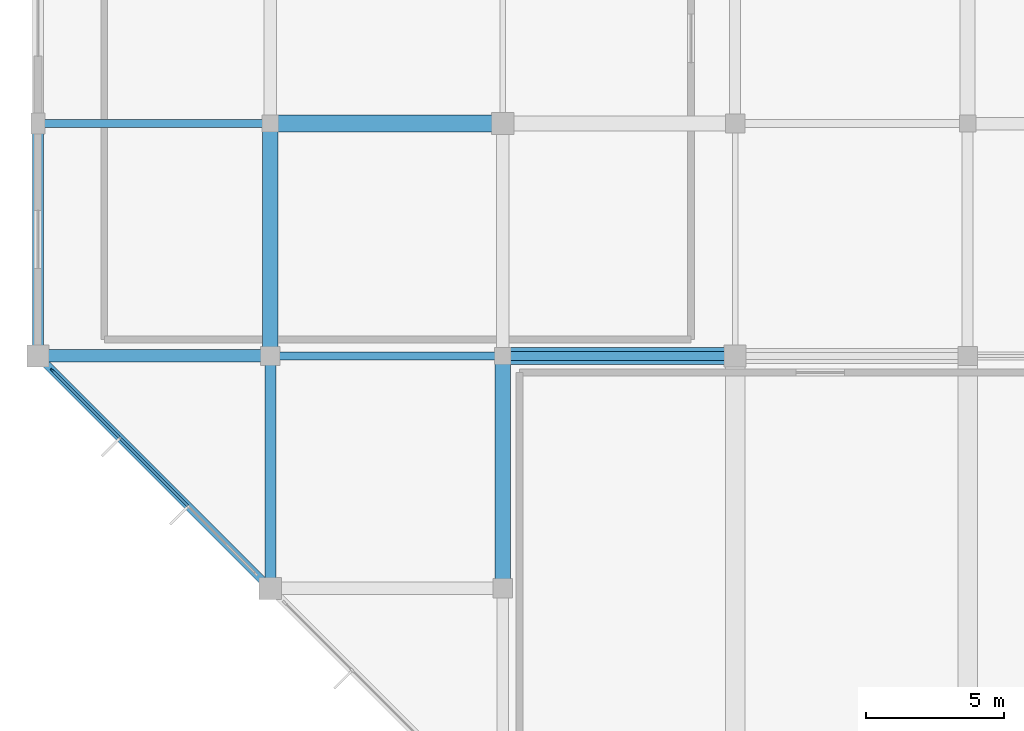
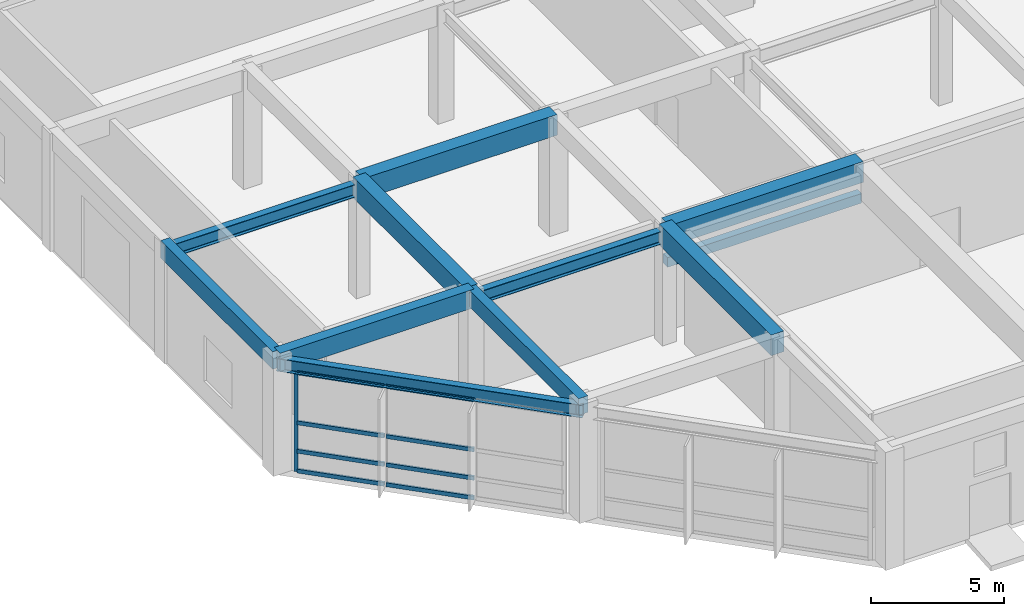
# One storey, part 9 of 62: 11 beams, 9 members, 1 element without a shape of its own.
"""IFC4 building model written with IfcOpenShell, lengths in metres."""

from ifc_helpers import new_model, si_unit, direction, frame, origin, origin_2d, place, context, subcontext, project, spatial, rectangle, i_section, extrude, material, material_profile, profile_set, type_object, element, aggregate, save


model = new_model("IFC4")

# Units and contexts
model_context = context("Model", 3, precision=1e-05, world=origin(), true_north=direction((0.0, 1.0)))
body_context = subcontext(model_context, "Body", "Model", "MODEL_VIEW")
ifc_project = project(units=[si_unit("LENGTHUNIT", "METRE"), si_unit("AREAUNIT", "SQUARE_METRE"), si_unit("VOLUMEUNIT", "CUBIC_METRE"), si_unit("PLANEANGLEUNIT", "RADIAN"), si_unit("MASSUNIT", "GRAM", prefix="KILO")], contexts=[model_context])

# Site, building, storey
site_placement = place(None, origin())
site = spatial("IfcSite", under=ifc_project, at=site_placement, CompositionType="ELEMENT")
building_placement = place(site_placement, origin())
building = spatial("IfcBuilding", under=site, at=building_placement, Name="Xuanlan Plaza Opera House", CompositionType="ELEMENT")
storey_placement = place(building_placement, origin())
storey = spatial("IfcBuildingStorey", under=building, at=storey_placement, Name="L00", CompositionType="ELEMENT", Elevation=0.0)

# Curtain wall, members
ifc_material_1 = material(Name="Anodised Aluminium 6063-T6 and Low-E Glass", Category="aluminium")
curtain_wall_type = type_object("IfcCurtainWallType", Name="ENV-CW-CW-01", PredefinedType="USERDEFINED", material=ifc_material_1)
curtain_wall_placement = place(storey_placement, origin())
curtain_wall = element("IfcCurtainWall", 1, at=curtain_wall_placement, inside=storey, type_object=curtain_wall_type, Name="Unitised Curtain Wall L00-059", ObjectType="UNITISED CURTAIN WALL", PredefinedType="USERDEFINED")
ifc_material_2 = material(Name="Anodised Aluminium 6063-T6", Category="aluminium")
ifc_material_profile_1 = material_profile(ifc_material_2, rectangle(XDim=0.06494140625, YDim=0.159912109375, at=origin_2d()), Name="ALU-M 65x160")
ifc_profile_set_1 = profile_set([ifc_material_profile_1], Name="Anodised Aluminium 6063-T6")
member_type_1 = type_object("IfcMemberType", Name="ENV-CWM-01", PredefinedType="MULLION", material=ifc_profile_set_1)
member_1_placement = place(storey_placement, frame((0.52197265625, 16.278076171875, 0.0), z_axis=(0.0, 0.0, 1.0), x_axis=(0.707106781187, 0.707106781187, 0.0)))
member_1 = element("IfcMember", 2, at=member_1_placement, type_object=member_type_1, Name="CW-01 mullion 1", PredefinedType="MULLION", context=body_context, shape_type="SweptSolid", body=[
    extrude(rectangle(XDim=0.06494140625, YDim=0.159912109375, at=origin_2d()), origin(), (0.0, 0.0, 1.0), 4.580078125),
])
ifc_material_profile_2 = material_profile(ifc_material_2, rectangle(XDim=0.090087890625, YDim=0.179931640625, at=origin_2d()), Name="ALU-T 90x180")
ifc_profile_set_2 = profile_set([ifc_material_profile_2], Name="Anodised Aluminium 6063-T6")
member_type_2 = type_object("IfcMemberType", Name="ENV-CWT-05", PredefinedType="USERDEFINED", material=ifc_profile_set_2)
member_2_placement = place(storey_placement, frame((0.544921875, 16.255126953125, 0.044921875), z_axis=(0.707106781187, -0.707106781187, 0.0), x_axis=(0.707106781187, 0.707106781187, 0.0)))
member_2 = element("IfcMember", 3, at=member_2_placement, type_object=member_type_2, Name="CW-01 transom 1.1", ObjectType="TRANSOM", PredefinedType="USERDEFINED", context=body_context, shape_type="SweptSolid", body=[
    extrude(rectangle(XDim=0.090087890625, YDim=0.179931640625, at=origin_2d()), origin(), (0.0, 0.0, 1.0), 3.391845703125),
])
member_3_placement = place(storey_placement, frame((0.544921875, 16.255126953125, 0.949951171875), z_axis=(0.707106781187, -0.707106781187, 0.0), x_axis=(0.707106781187, 0.707106781187, 0.0)))
member_3 = element("IfcMember", 4, at=member_3_placement, type_object=member_type_2, Name="CW-01 transom 1.2", ObjectType="TRANSOM", PredefinedType="USERDEFINED", context=body_context, shape_type="SweptSolid", body=[
    extrude(rectangle(XDim=0.090087890625, YDim=0.179931640625, at=origin_2d()), origin(), (0.0, 0.0, 1.0), 3.391845703125),
])
member_4_placement = place(storey_placement, frame((0.544921875, 16.255126953125, 2.25), z_axis=(0.707106781187, -0.707106781187, 0.0), x_axis=(0.707106781187, 0.707106781187, 0.0)))
member_4 = element("IfcMember", 5, at=member_4_placement, type_object=member_type_2, Name="CW-01 transom 1.3", ObjectType="TRANSOM", PredefinedType="USERDEFINED", context=body_context, shape_type="SweptSolid", body=[
    extrude(rectangle(XDim=0.090087890625, YDim=0.179931640625, at=origin_2d()), origin(), (0.0, 0.0, 1.0), 3.391845703125),
])
member_5_placement = place(storey_placement, frame((0.544921875, 16.255126953125, 4.534912109375), z_axis=(0.707106781187, -0.707106781187, 0.0), x_axis=(0.707106781187, 0.707106781187, 0.0)))
member_5 = element("IfcMember", 6, at=member_5_placement, type_object=member_type_2, Name="CW-01 transom 1.4", ObjectType="TRANSOM", PredefinedType="USERDEFINED", context=body_context, shape_type="SweptSolid", body=[
    extrude(rectangle(XDim=0.090087890625, YDim=0.179931640625, at=origin_2d()), origin(), (0.0, 0.0, 1.0), 3.391845703125),
])
member_6_placement = place(storey_placement, frame((2.9892578125, 13.810791015625, 0.044921875), z_axis=(0.707106781187, -0.707106781187, 0.0), x_axis=(0.707106781187, 0.707106781187, 0.0)))
member_6 = element("IfcMember", 7, at=member_6_placement, type_object=member_type_2, Name="CW-01 transom 2.1", ObjectType="TRANSOM", PredefinedType="USERDEFINED", context=body_context, shape_type="SweptSolid", body=[
    extrude(rectangle(XDim=0.090087890625, YDim=0.179931640625, at=origin_2d()), origin(), (0.0, 0.0, 1.0), 3.42431640625),
])
member_7_placement = place(storey_placement, frame((2.9892578125, 13.810791015625, 0.949951171875), z_axis=(0.707106781187, -0.707106781187, 0.0), x_axis=(0.707106781187, 0.707106781187, 0.0)))
member_7 = element("IfcMember", 8, at=member_7_placement, type_object=member_type_2, Name="CW-01 transom 2.2", ObjectType="TRANSOM", PredefinedType="USERDEFINED", context=body_context, shape_type="SweptSolid", body=[
    extrude(rectangle(XDim=0.090087890625, YDim=0.179931640625, at=origin_2d()), origin(), (0.0, 0.0, 1.0), 3.42431640625),
])
member_8_placement = place(storey_placement, frame((2.9892578125, 13.810791015625, 2.25), z_axis=(0.707106781187, -0.707106781187, 0.0), x_axis=(0.707106781187, 0.707106781187, 0.0)))
member_8 = element("IfcMember", 9, at=member_8_placement, type_object=member_type_2, Name="CW-01 transom 2.3", ObjectType="TRANSOM", PredefinedType="USERDEFINED", context=body_context, shape_type="SweptSolid", body=[
    extrude(rectangle(XDim=0.090087890625, YDim=0.179931640625, at=origin_2d()), origin(), (0.0, 0.0, 1.0), 3.42431640625),
])
member_9_placement = place(storey_placement, frame((2.9892578125, 13.810791015625, 4.534912109375), z_axis=(0.707106781187, -0.707106781187, 0.0), x_axis=(0.707106781187, 0.707106781187, 0.0)))
member_9 = element("IfcMember", 10, at=member_9_placement, type_object=member_type_2, Name="CW-01 transom 2.4", ObjectType="TRANSOM", PredefinedType="USERDEFINED", context=body_context, shape_type="SweptSolid", body=[
    extrude(rectangle(XDim=0.090087890625, YDim=0.179931640625, at=origin_2d()), origin(), (0.0, 0.0, 1.0), 3.42431640625),
])
aggregate(curtain_wall, [member_1, member_2, member_3, member_4, member_5, member_6, member_7, member_8, member_9])

# Beams
ifc_material_3 = material(Name="Concrete C50", Category="concrete")
ifc_material_profile_3 = material_profile(ifc_material_3, rectangle(XDim=0.60009765625, YDim=0.949951171875, at=origin_2d()), Name="RC-BM 600x950")
ifc_profile_set_3 = profile_set([ifc_material_profile_3], Name="Concrete C50")
beam_type_1 = type_object("IfcBeamType", Name="STR-BM-B-01", PredefinedType="BEAM", material=ifc_profile_set_3)
beam_1_placement = place(storey_placement, frame((16.800048828125, 16.800048828125, 4.925048828125), z_axis=(1.0, 0.0, 0.0), x_axis=(0.0, 1.0, 0.0)))
element("IfcBeam", 11, at=beam_1_placement, inside=storey, type_object=beam_type_1, Name="Grid Beam X L00 3-4/C", PredefinedType="BEAM", context=body_context, shape_type="SweptSolid", body=[
    extrude(rectangle(XDim=0.60009765625, YDim=0.949951171875, at=origin_2d()), origin(), (0.0, 0.0, 1.0), 8.39990234375),
])
beam_2_placement = place(storey_placement, frame((8.39990234375, 25.199951171875, 4.925048828125), z_axis=(1.0, 0.0, 0.0), x_axis=(0.0, 1.0, 0.0)))
element("IfcBeam", 12, at=beam_2_placement, inside=storey, type_object=beam_type_1, Name="Grid Beam X L00 2-3/D", PredefinedType="BEAM", context=body_context, shape_type="SweptSolid", body=[
    extrude(rectangle(XDim=0.60009765625, YDim=0.949951171875, at=origin_2d()), origin(), (0.0, 0.0, 1.0), 8.400146484375),
])
ifc_material_profile_4 = material_profile(ifc_material_3, rectangle(XDim=0.550048828125, YDim=0.949951171875, at=origin_2d()), Name="RC-BM 550x950")
ifc_profile_set_4 = profile_set([ifc_material_profile_4], Name="Concrete C50")
beam_type_2 = type_object("IfcBeamType", Name="STR-BM-B-02", PredefinedType="BEAM", material=ifc_profile_set_4)
beam_3_placement = place(storey_placement, frame((8.39990234375, 16.800048828125, 4.925048828125), z_axis=(0.0, 1.0, 0.0), x_axis=(-1.0, 0.0, 0.0)))
element("IfcBeam", 13, at=beam_3_placement, inside=storey, type_object=beam_type_2, Name="Grid Beam Y L00 2/C-D", PredefinedType="BEAM", context=body_context, shape_type="SweptSolid", body=[
    extrude(rectangle(XDim=0.550048828125, YDim=0.949951171875, at=origin_2d()), origin(), (0.0, 0.0, 1.0), 8.39990234375),
])
beam_4_placement = place(storey_placement, frame((16.800048828125, 8.39990234375, 4.925048828125), z_axis=(0.0, 1.0, 0.0), x_axis=(-1.0, 0.0, 0.0)))
element("IfcBeam", 14, at=beam_4_placement, inside=storey, type_object=beam_type_2, Name="Grid Beam Y L00 3/B-C", PredefinedType="BEAM", context=body_context, shape_type="SweptSolid", body=[
    extrude(rectangle(XDim=0.550048828125, YDim=0.949951171875, at=origin_2d()), origin(), (0.0, 0.0, 1.0), 8.400146484375),
])
ifc_material_4 = material(Name="Concrete C40", Category="concrete")
ifc_material_profile_5 = material_profile(ifc_material_4, rectangle(XDim=0.449951171875, YDim=0.85009765625, at=origin_2d()), Name="RC-BM 450x850")
ifc_profile_set_5 = profile_set([ifc_material_profile_5], Name="Concrete C40")
beam_type_3 = type_object("IfcBeamType", Name="STR-BM-B-04", PredefinedType="BEAM", material=ifc_profile_set_5)
beam_5_placement = place(storey_placement, frame((0.0, 16.800048828125, 4.97509765625), z_axis=(1.0, 0.0, 0.0), x_axis=(0.0, 1.0, 0.0)))
element("IfcBeam", 15, at=beam_5_placement, inside=storey, type_object=beam_type_3, Name="Grid Beam X L00 1-2/C", PredefinedType="BEAM", context=body_context, shape_type="SweptSolid", body=[
    extrude(rectangle(XDim=0.449951171875, YDim=0.85009765625, at=origin_2d()), origin(), (0.0, 0.0, 1.0), 8.39990234375),
])
ifc_material_profile_6 = material_profile(ifc_material_4, rectangle(XDim=0.39990234375, YDim=0.75, at=origin_2d()), Name="RC-BM 400x750")
ifc_profile_set_6 = profile_set([ifc_material_profile_6], Name="Concrete C40")
beam_type_4 = type_object("IfcBeamType", Name="STR-BM-B-06", PredefinedType="BEAM", material=ifc_profile_set_6)
beam_6_placement = place(storey_placement, frame((8.39990234375, 8.39990234375, 5.02490234375), z_axis=(0.0, 1.0, 0.0), x_axis=(-1.0, 0.0, 0.0)))
element("IfcBeam", 16, at=beam_6_placement, inside=storey, type_object=beam_type_4, Name="Grid Beam Y L00 2/B-C", PredefinedType="BEAM", context=body_context, shape_type="SweptSolid", body=[
    extrude(rectangle(XDim=0.39990234375, YDim=0.75, at=origin_2d()), origin(), (0.0, 0.0, 1.0), 8.400146484375),
])
ifc_material_profile_7 = material_profile(ifc_material_4, rectangle(XDim=0.320068359375, YDim=0.43994140625, at=origin_2d()), Name="RC-LNT 320x440")
ifc_profile_set_7 = profile_set([ifc_material_profile_7], Name="Concrete C40")
beam_type_5 = type_object("IfcBeamType", Name="STR-BM-LN-05", PredefinedType="LINTEL", material=ifc_profile_set_7)
beam_7_placement = place(storey_placement, frame((16.800048828125, 16.800048828125, 3.6298828125), z_axis=(1.0, 0.0, 0.0), x_axis=(0.0, 1.0, 0.0)))
element("IfcBeam", 17, at=beam_7_placement, inside=storey, type_object=beam_type_5, Name="Backstage Portal Lintel Beam L00-02", PredefinedType="LINTEL", context=body_context, shape_type="SweptSolid", body=[
    extrude(rectangle(XDim=0.320068359375, YDim=0.43994140625, at=origin_2d()), origin(), (0.0, 0.0, 1.0), 8.39990234375),
])
ifc_material_5 = material(Name="Steel Q355B", Category="steel")
ifc_material_profile_8 = material_profile(ifc_material_5, i_section(OverallWidth=0.300048828125, OverallDepth=0.587890625, WebThickness=0.011962890625, FlangeThickness=0.02001953125, FilletRadius=0.02392578125, at=origin_2d()), Name="HM 588x300x12x20")
ifc_profile_set_8 = profile_set([ifc_material_profile_8], Name="Steel Q355B")
beam_type_6 = type_object("IfcBeamType", Name="STR-BM-SB-06", PredefinedType="BEAM", material=ifc_profile_set_8)
beam_8_placement = place(storey_placement, frame((8.39990234375, 16.800048828125, 4.841064453125), z_axis=(1.0, 0.0, 0.0), x_axis=(0.0, 1.0, 0.0)))
element("IfcBeam", 18, at=beam_8_placement, inside=storey, type_object=beam_type_6, Name="Grid Beam X L00 2-3/C", PredefinedType="BEAM", context=body_context, shape_type="SweptSolid", body=[
    extrude(i_section(OverallWidth=0.300048828125, OverallDepth=0.587890625, WebThickness=0.011962890625, FlangeThickness=0.02001953125, FilletRadius=0.02392578125, at=origin_2d()), origin(), (0.0, 0.0, 1.0), 8.400146484375),
])
beam_9_placement = place(storey_placement, frame((0.0, 25.199951171875, 4.841064453125), z_axis=(1.0, 0.0, 0.0), x_axis=(0.0, 1.0, 0.0)))
element("IfcBeam", 19, at=beam_9_placement, inside=storey, type_object=beam_type_6, Name="Grid Beam X L00 1-2/D", PredefinedType="BEAM", context=body_context, shape_type="SweptSolid", body=[
    extrude(i_section(OverallWidth=0.300048828125, OverallDepth=0.587890625, WebThickness=0.011962890625, FlangeThickness=0.02001953125, FilletRadius=0.02392578125, at=origin_2d()), origin(), (0.0, 0.0, 1.0), 8.39990234375),
])
ifc_material_profile_9 = material_profile(ifc_material_4, rectangle(XDim=0.39990234375, YDim=0.800048828125, at=origin_2d()), Name="RC-SPD 400x800")
ifc_profile_set_9 = profile_set([ifc_material_profile_9], Name="Concrete C40")
beam_type_7 = type_object("IfcBeamType", Name="STR-BM-SP-01", PredefinedType="SPANDREL", material=ifc_profile_set_9)
beam_10_placement = place(storey_placement, frame((0.0, 16.800048828125, 5.0), z_axis=(0.0, 1.0, 0.0), x_axis=(-1.0, 0.0, 0.0)))
element("IfcBeam", 20, at=beam_10_placement, inside=storey, type_object=beam_type_7, Name="Grid Beam Y L00 1/C-D", PredefinedType="SPANDREL", context=body_context, shape_type="SweptSolid", body=[
    extrude(rectangle(XDim=0.39990234375, YDim=0.800048828125, at=origin_2d()), origin(), (0.0, 0.0, 1.0), 8.39990234375),
])
ifc_material_profile_10 = material_profile(ifc_material_5, i_section(OverallWidth=0.300048828125, OverallDepth=0.587890625, WebThickness=0.011962890625, FlangeThickness=0.02001953125, FilletRadius=0.02392578125, at=origin_2d()), Name="HM 588x300x12x20")
ifc_profile_set_10 = profile_set([ifc_material_profile_10], Name="Steel Q355B")
beam_type_8 = type_object("IfcBeamType", Name="STR-BM-SP-03", PredefinedType="SPANDREL", material=ifc_profile_set_10)
beam_11_placement = place(storey_placement, frame((8.39990234375, 8.39990234375, 4.841064453125), z_axis=(-0.707096505339, 0.707117056885, 0.0), x_axis=(-0.707117056885, -0.707096505339, 0.0)))
element("IfcBeam", 21, at=beam_11_placement, inside=storey, type_object=beam_type_8, Name="Faceted Edge Spandrel L00 CH03B", PredefinedType="SPANDREL", context=body_context, shape_type="SweptSolid", body=[
    extrude(i_section(OverallWidth=0.300048828125, OverallDepth=0.587890625, WebThickness=0.011962890625, FlangeThickness=0.02001953125, FilletRadius=0.02392578125, at=origin_2d()), origin(), (0.0, 0.0, 1.0), 11.87939453125),
])

save(model, "model.ifc")
